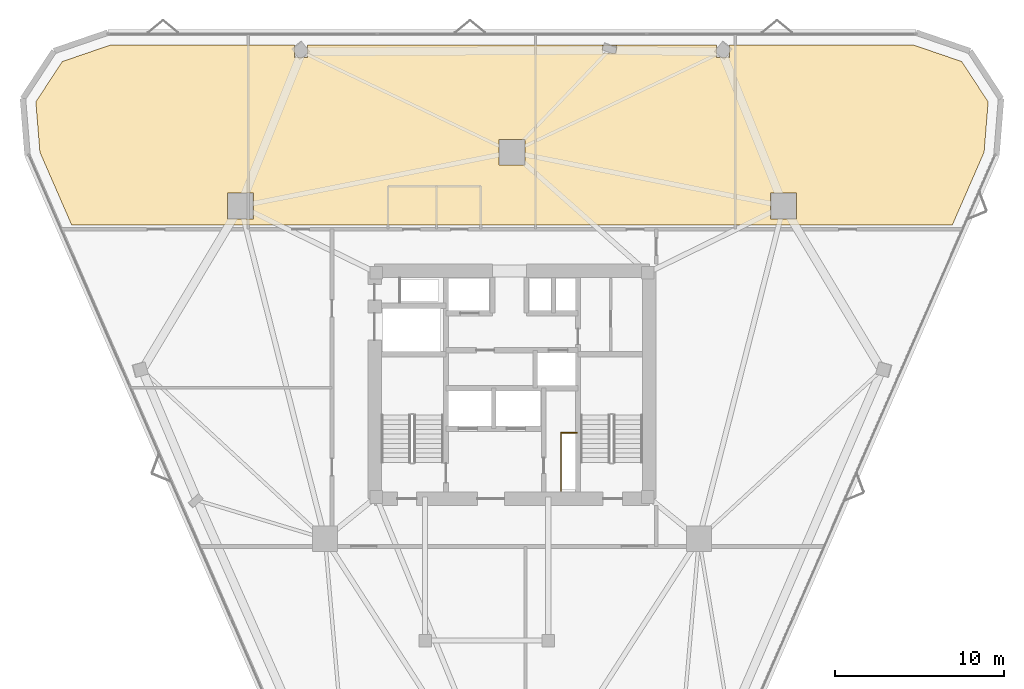
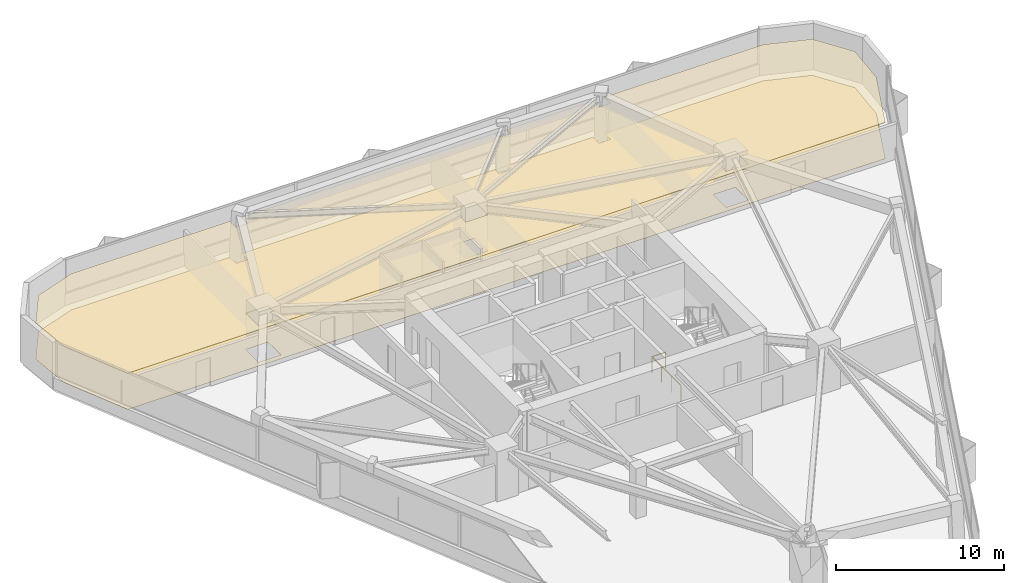
# One storey, part 15 of 16: 2 coverings, 1 railing.
"""IFC4 building model written with IfcOpenShell, lengths in metres."""

from ifc_helpers import new_model, si_unit, direction, frame, origin, origin_2d, place, context, subcontext, project, spatial, polyline, rectangle, outline, extrude, material, layer, layer_set, type_object, element, save


model = new_model("IFC4")

# Units and contexts
model_context = context("Model", 3, precision=1e-05, world=origin(), true_north=direction((0.0, 1.0)))
body_context = subcontext(model_context, "Body", "Model", "MODEL_VIEW")
ifc_project = project(units=[si_unit("LENGTHUNIT", "METRE"), si_unit("AREAUNIT", "SQUARE_METRE"), si_unit("VOLUMEUNIT", "CUBIC_METRE"), si_unit("PLANEANGLEUNIT", "RADIAN"), si_unit("MASSUNIT", "GRAM", prefix="KILO")], contexts=[model_context])

# Site, building, storey
site_placement = place(None, origin())
site = spatial("IfcSite", under=ifc_project, at=site_placement, CompositionType="ELEMENT")
building_placement = place(site_placement, origin())
building = spatial("IfcBuilding", under=site, at=building_placement, Name="Talyreon Biosciences Tower", CompositionType="ELEMENT")
storey_placement = place(building_placement, frame((0.0, 0.0, 134.5)))
storey = spatial("IfcBuildingStorey", under=building, at=storey_placement, Name="L35", CompositionType="ELEMENT", Elevation=134.5)

# Coverings
ifc_material_1 = material(Name="Cleanable acoustic mineral-fibre ceiling tile", Category="gypsum")
ifc_layer_1 = layer(ifc_material_1, 0.0400390625)
ifc_layer_set_1 = layer_set([ifc_layer_1], Name="Cleanable acoustic mineral-fibre ceiling tile")
covering_type_1 = type_object("IfcCoveringType", Name="AcousticCleanroomCeiling_40", PredefinedType="CEILING", material=ifc_layer_set_1)
covering_1_placement = place(storey_placement, frame((0.0, 0.0, 2.614990234375)))
element("IfcCovering", 1, at=covering_1_placement, inside=storey, type_object=covering_type_1, Name="L35 Acoustic Laboratory Ceiling", PredefinedType="CEILING", context=body_context, shape_type="SweptSolid", body=[
    extrude(outline(polyline([(37.771484375, 84.773681640625), (39.337646484375, 87.165771484375), (42.167236328125, 88.13623046875), (53.10302734375, 88.13623046875), (53.10302734375, 87.4072265625), (53.883056640625, 87.4072265625), (53.883056640625, 88.13623046875), (78.116943359375, 88.13623046875), (78.116943359375, 87.4072265625), (78.89697265625, 87.4072265625), (78.89697265625, 88.13623046875), (89.832763671875, 88.13623046875), (92.662353515625, 87.165771484375), (94.228515625, 84.773681640625), (93.986328125, 81.7919921875), (92.10498046875, 77.47998046875), (39.89501953125, 77.47998046875), (38.013671875, 81.7919921875), (37.771484375, 84.773681640625)]), holes=[polyline([(49.132568359375, 77.833740234375), (50.66259765625, 77.833740234375), (50.66259765625, 79.36376953125), (49.132568359375, 79.36376953125), (49.132568359375, 77.833740234375)]), polyline([(65.235107421875, 81.02392578125), (66.764892578125, 81.02392578125), (66.764892578125, 82.553955078125), (65.235107421875, 82.553955078125), (65.235107421875, 81.02392578125)]), polyline([(82.867431640625, 77.833740234375), (82.867431640625, 79.36376953125), (81.33740234375, 79.36376953125), (81.33740234375, 77.833740234375), (82.867431640625, 77.833740234375)]), polyline([(72.1875, 88.1123046875), (71.357421875, 88.1123046875), (71.357421875, 87.682373046875), (72.1875, 87.682373046875), (72.1875, 88.1123046875)])]), origin(), (0.0, 0.0, 1.0), 0.0400390625),
])
ifc_material_2 = material(Name="Chemical-resistant seamless epoxy resin flooring", Category="plastic")
ifc_layer_2 = layer(ifc_material_2, 0.014892578125)
ifc_layer_set_2 = layer_set([ifc_layer_2], Name="Chemical-resistant seamless epoxy resin flooring")
covering_type_2 = type_object("IfcCoveringType", Name="SeamlessEpoxyLabFlooring_15", PredefinedType="FLOORING", material=ifc_layer_set_2)
covering_2_placement = place(storey_placement, origin())
element("IfcCovering", 2, at=covering_2_placement, inside=storey, type_object=covering_type_2, Name="L35 Laboratory Floor Finish", PredefinedType="FLOORING", context=body_context, shape_type="SweptSolid", body=[
    extrude(outline(polyline([(37.771484375, 84.773681640625), (39.337646484375, 87.165771484375), (42.167236328125, 88.13623046875), (53.10302734375, 88.13623046875), (53.10302734375, 87.4072265625), (53.883056640625, 87.4072265625), (53.883056640625, 88.13623046875), (78.116943359375, 88.13623046875), (78.116943359375, 87.4072265625), (78.89697265625, 87.4072265625), (78.89697265625, 88.13623046875), (89.832763671875, 88.13623046875), (92.662353515625, 87.165771484375), (94.228515625, 84.773681640625), (93.986328125, 81.7919921875), (92.10498046875, 77.47998046875), (39.89501953125, 77.47998046875), (38.013671875, 81.7919921875), (37.771484375, 84.773681640625)]), holes=[polyline([(49.132568359375, 77.833740234375), (50.66259765625, 77.833740234375), (50.66259765625, 79.36376953125), (49.132568359375, 79.36376953125), (49.132568359375, 77.833740234375)]), polyline([(65.235107421875, 81.02392578125), (66.764892578125, 81.02392578125), (66.764892578125, 82.553955078125), (65.235107421875, 82.553955078125), (65.235107421875, 81.02392578125)]), polyline([(82.867431640625, 77.833740234375), (82.867431640625, 79.36376953125), (81.33740234375, 79.36376953125), (81.33740234375, 77.833740234375), (82.867431640625, 77.833740234375)]), polyline([(72.1875, 88.1123046875), (71.357421875, 88.1123046875), (71.357421875, 87.682373046875), (72.1875, 87.682373046875), (72.1875, 88.1123046875)])]), origin(), (0.0, 0.0, 1.0), 0.014892578125),
])

# Railing
ifc_material_3 = material(Name="Painted galvanised steel post-and-rail balustrade", Category="steel")
railing_type = type_object("IfcRailingType", Name="TerraceStairGuard_1200", PredefinedType="GUARDRAIL", material=ifc_material_3)
railing_placement = place(storey_placement, frame((68.909912109375, 61.699951171875, 0.0)))
element("IfcRailing", 3, at=railing_placement, inside=storey, type_object=railing_type, Name="L35 Electrical Riser Maintenance Guardrail", PredefinedType="GUARDRAIL", context=body_context, shape_type="SweptSolid", body=[
    extrude(rectangle(XDim=0.048095703125, YDim=0.048095703125, at=origin_2d()), frame((0.0, 0.0, 1.17578125), z_axis=(0.0, 1.0, 0.0), x_axis=(-1.0, 0.0, 0.0)), (0.0, 0.0, 1.0), 3.4599609375),
    extrude(rectangle(XDim=0.048095703125, YDim=0.048095703125, at=origin_2d()), frame((0.0, 3.4599609375, 1.17578125), z_axis=(1.0, 0.0, 0.0), x_axis=(0.0, 1.0, 0.0)), (0.0, 0.0, 1.0), 0.9501953125),
    extrude(rectangle(XDim=0.0419921875, YDim=0.0419921875, at=origin_2d()), origin(), (0.0, 0.0, 1.0), 1.15185546875),
    extrude(rectangle(XDim=0.0419921875, YDim=0.0419921875, at=origin_2d()), frame((0.0, 1.1533203125, 0.0)), (0.0, 0.0, 1.0), 1.15185546875),
    extrude(rectangle(XDim=0.0419921875, YDim=0.0419921875, at=origin_2d()), frame((0.0, 2.306640625, 0.0)), (0.0, 0.0, 1.0), 1.15185546875),
    extrude(rectangle(XDim=0.0419921875, YDim=0.0419921875, at=origin_2d()), frame((0.0, 3.4599609375, 0.0)), (0.0, 0.0, 1.0), 1.15185546875),
    extrude(rectangle(XDim=0.0419921875, YDim=0.0419921875, at=origin_2d()), frame((0.9501953125, 3.4599609375, 0.0)), (0.0, 0.0, 1.0), 1.15185546875),
])

save(model, "model.ifc")
